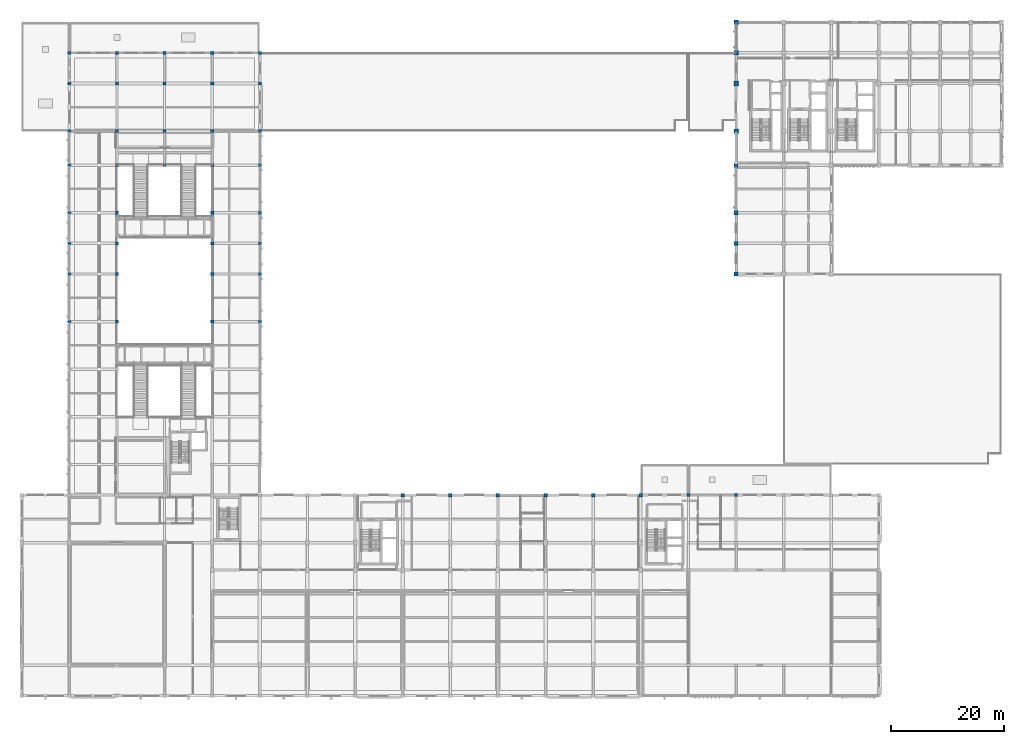
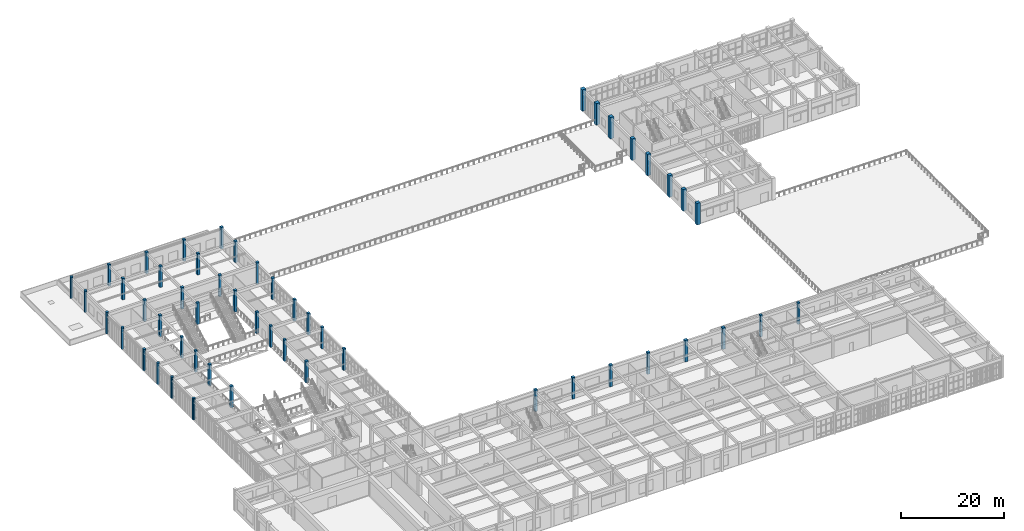
# One storey, part 10 of 93: 52 columns.
"""IFC4 building model written with IfcOpenShell, lengths in metres."""

from ifc_helpers import new_model, si_unit, direction, frame, origin, origin_2d, place, context, subcontext, project, spatial, rectangle, circle, extrude, material, material_profile, profile_set, type_object, element, save


model = new_model("IFC4")

# Units and contexts
model_context = context("Model", 3, precision=1e-05, world=origin(), true_north=direction((0.0, 1.0)))
body_context = subcontext(model_context, "Body", "Model", "MODEL_VIEW")
ifc_project = project(units=[si_unit("LENGTHUNIT", "METRE"), si_unit("AREAUNIT", "SQUARE_METRE"), si_unit("VOLUMEUNIT", "CUBIC_METRE"), si_unit("PLANEANGLEUNIT", "RADIAN"), si_unit("MASSUNIT", "GRAM", prefix="KILO")], contexts=[model_context])

# Site, building, storey
site_placement = place(None, origin())
site = spatial("IfcSite", under=ifc_project, at=site_placement, CompositionType="ELEMENT")
building_placement = place(site_placement, origin())
building = spatial("IfcBuilding", under=site, at=building_placement, Name="Krzemoval Escarpment Law Courts", CompositionType="ELEMENT")
storey_placement = place(building_placement, frame((0.0, 0.0, 10.199951171875)))
storey = spatial("IfcBuildingStorey", under=building, at=storey_placement, Name="L02", CompositionType="ELEMENT", Elevation=10.199951171875)

# Columns
ifc_material_1 = material(Name="Concrete C40/50", Category="concrete")
ifc_material_profile_1 = material_profile(ifc_material_1, rectangle(XDim=0.5, YDim=0.5, at=origin_2d()), Name="RC 500x500")
ifc_profile_set_1 = profile_set([ifc_material_profile_1], Name="Concrete C40/50")
column_type_1 = type_object("IfcColumnType", Name="COL-RC-500", PredefinedType="COLUMN", material=ifc_profile_set_1)
for number, where, z_axis, x_axis, name in (
    (1, (117.60009765625, 35.39990234375, 0.0), (0.0, 0.0, 1.0), (1.0, 0.0, 0.0), "Column FC-L02-0928"),
    (2, (126.0, 35.39990234375, 0.0), (0.0, 0.0, 1.0), (1.0, 0.0, 0.0), "Column FC-L02-0933"),
):
    element("IfcColumn", number, at=place(storey_placement, frame(where, z_axis=z_axis, x_axis=x_axis)), inside=storey, type_object=column_type_1, Name=name, PredefinedType="COLUMN", context=body_context, shape_type="SweptSolid", body=[
        extrude(rectangle(XDim=0.5, YDim=0.5, at=origin_2d()), origin(), (0.0, 0.0, 1.0), 5.10009765625),
    ])
ifc_material_2 = material(Name="Concrete C40/50", Category="concrete")
ifc_material_profile_2 = material_profile(ifc_material_2, rectangle(XDim=0.550048828125, YDim=0.550048828125, at=origin_2d()), Name="RC 550x550")
ifc_profile_set_2 = profile_set([ifc_material_profile_2], Name="Concrete C40/50")
column_type_2 = type_object("IfcColumnType", Name="COL-RC-550", PredefinedType="COLUMN", material=ifc_profile_set_2)
for number, where, z_axis, x_axis, name in (
    (3, (16.800048828125, 66.0, 0.0), (0.0, 0.0, 1.0), (1.0, 0.0, 0.0), "Column FC-L02-0834"),
    (4, (16.800048828125, 74.39990234375, 0.0), (0.0, 0.0, 1.0), (1.0, 0.0, 0.0), "Column FC-L02-0835"),
    (5, (16.800048828125, 79.800048828125, 0.0), (0.0, 0.0, 1.0), (1.0, 0.0, 0.0), "Column FC-L02-0836"),
    (6, (16.800048828125, 85.199951171875, 0.0), (0.0, 0.0, 1.0), (1.0, 0.0, 0.0), "Column FC-L02-0837"),
    (7, (16.800048828125, 93.60009765625, 0.0), (0.0, 0.0, 1.0), (1.0, 0.0, 0.0), "Column FC-L02-0838"),
    (8, (16.800048828125, 99.60009765625, 0.0), (0.0, 0.0, 1.0), (1.0, 0.0, 0.0), "Column FC-L02-0839"),
    (9, (16.800048828125, 108.0, 0.0), (0.0, 0.0, 1.0), (1.0, 0.0, 0.0), "Column FC-L02-0840"),
    (10, (16.800048828125, 113.39990234375, 0.0), (0.0, 0.0, 1.0), (1.0, 0.0, 0.0), "Column FC-L02-0841"),
    (11, (25.199951171875, 93.60009765625, 0.0), (0.0, 0.0, 1.0), (1.0, 0.0, 0.0), "Column FC-L02-0848"),
    (12, (25.199951171875, 99.60009765625, 0.0), (0.0, 0.0, 1.0), (1.0, 0.0, 0.0), "Column FC-L02-0849"),
    (13, (25.199951171875, 108.0, 0.0), (0.0, 0.0, 1.0), (1.0, 0.0, 0.0), "Column FC-L02-0850"),
    (14, (25.199951171875, 113.39990234375, 0.0), (0.0, 0.0, 1.0), (1.0, 0.0, 0.0), "Column FC-L02-0851"),
    (15, (33.60009765625, 66.0, 0.0), (0.0, 0.0, 1.0), (1.0, 0.0, 0.0), "Column FC-L02-0860"),
    (16, (33.60009765625, 74.39990234375, 0.0), (0.0, 0.0, 1.0), (1.0, 0.0, 0.0), "Column FC-L02-0861"),
    (17, (33.60009765625, 79.800048828125, 0.0), (0.0, 0.0, 1.0), (1.0, 0.0, 0.0), "Column FC-L02-0862"),
    (18, (33.60009765625, 85.199951171875, 0.0), (0.0, 0.0, 1.0), (1.0, 0.0, 0.0), "Column FC-L02-0863"),
    (19, (33.60009765625, 93.60009765625, 0.0), (0.0, 0.0, 1.0), (1.0, 0.0, 0.0), "Column FC-L02-0864"),
    (20, (33.60009765625, 99.60009765625, 0.0), (0.0, 0.0, 1.0), (1.0, 0.0, 0.0), "Column FC-L02-0865"),
    (21, (33.60009765625, 108.0, 0.0), (0.0, 0.0, 1.0), (1.0, 0.0, 0.0), "Column FC-L02-0866"),
    (22, (33.60009765625, 113.39990234375, 0.0), (0.0, 0.0, 1.0), (1.0, 0.0, 0.0), "Column FC-L02-0867"),
    (23, (42.0, 66.0, 0.0), (0.0, 0.0, 1.0), (1.0, 0.0, 0.0), "Column FC-L02-0876"),
    (24, (42.0, 74.39990234375, 0.0), (0.0, 0.0, 1.0), (1.0, 0.0, 0.0), "Column FC-L02-0877"),
    (25, (42.0, 79.800048828125, 0.0), (0.0, 0.0, 1.0), (1.0, 0.0, 0.0), "Column FC-L02-0878"),
    (26, (42.0, 85.199951171875, 0.0), (0.0, 0.0, 1.0), (1.0, 0.0, 0.0), "Column FC-L02-0879"),
    (27, (42.0, 93.60009765625, 0.0), (0.0, 0.0, 1.0), (1.0, 0.0, 0.0), "Column FC-L02-0880"),
    (28, (42.0, 99.60009765625, 0.0), (0.0, 0.0, 1.0), (1.0, 0.0, 0.0), "Column FC-L02-0881"),
    (29, (42.0, 108.0, 0.0), (0.0, 0.0, 1.0), (1.0, 0.0, 0.0), "Column FC-L02-0882"),
    (30, (42.0, 113.39990234375, 0.0), (0.0, 0.0, 1.0), (1.0, 0.0, 0.0), "Column FC-L02-0883"),
):
    element("IfcColumn", number, at=place(storey_placement, frame(where, z_axis=z_axis, x_axis=x_axis)), inside=storey, type_object=column_type_2, Name=name, PredefinedType="COLUMN", context=body_context, shape_type="SweptSolid", body=[
        extrude(rectangle(XDim=0.550048828125, YDim=0.550048828125, at=origin_2d()), origin(), (0.0, 0.0, 1.0), 5.10009765625),
    ])
ifc_material_3 = material(Name="Concrete C40/50", Category="concrete")
ifc_material_profile_3 = material_profile(ifc_material_3, rectangle(XDim=0.60009765625, YDim=0.60009765625, at=origin_2d()), Name="RC 600x600")
ifc_profile_set_3 = profile_set([ifc_material_profile_3], Name="Concrete C40/50")
column_type_3 = type_object("IfcColumnType", Name="COL-RC-600", PredefinedType="COLUMN", material=ifc_profile_set_3)
for number, where, z_axis, x_axis, name in (
    (31, (67.199951171875, 35.39990234375, 0.0), (0.0, 0.0, 1.0), (1.0, 0.0, 0.0), "Column FC-L02-0898"),
    (32, (75.60009765625, 35.39990234375, 0.0), (0.0, 0.0, 1.0), (1.0, 0.0, 0.0), "Column FC-L02-0903"),
    (33, (84.0, 35.39990234375, 0.0), (0.0, 0.0, 1.0), (1.0, 0.0, 0.0), "Column FC-L02-0908"),
    (34, (92.39990234375, 35.39990234375, 0.0), (0.0, 0.0, 1.0), (1.0, 0.0, 0.0), "Column FC-L02-0913"),
    (35, (100.800048828125, 35.39990234375, 0.0), (0.0, 0.0, 1.0), (1.0, 0.0, 0.0), "Column FC-L02-0918"),
    (36, (109.199951171875, 35.39990234375, 0.0), (0.0, 0.0, 1.0), (1.0, 0.0, 0.0), "Column FC-L02-0923"),
):
    element("IfcColumn", number, at=place(storey_placement, frame(where, z_axis=z_axis, x_axis=x_axis)), inside=storey, type_object=column_type_3, Name=name, PredefinedType="COLUMN", context=body_context, shape_type="SweptSolid", body=[
        extrude(rectangle(XDim=0.60009765625, YDim=0.60009765625, at=origin_2d()), origin(), (0.0, 0.0, 1.0), 5.10009765625),
    ])
ifc_material_4 = material(Name="Concrete C40/50", Category="concrete")
ifc_material_profile_4 = material_profile(ifc_material_4, rectangle(XDim=0.75, YDim=0.75, at=origin_2d()), Name="RC 750x750")
ifc_profile_set_4 = profile_set([ifc_material_profile_4], Name="Concrete C40/50")
column_type_4 = type_object("IfcColumnType", Name="COL-RC-750", PredefinedType="COLUMN", material=ifc_profile_set_4)
for number, where, z_axis, x_axis, name in (
    (37, (126.0, 74.39990234375, 0.0), (0.0, 0.0, 1.0), (1.0, 0.0, 0.0), "Column FC-L02-0934"),
    (38, (126.0, 79.800048828125, 0.0), (0.0, 0.0, 1.0), (1.0, 0.0, 0.0), "Column FC-L02-0935"),
    (39, (126.0, 85.199951171875, 0.0), (0.0, 0.0, 1.0), (1.0, 0.0, 0.0), "Column FC-L02-0936"),
    (40, (126.0, 93.60009765625, 0.0), (0.0, 0.0, 1.0), (1.0, 0.0, 0.0), "Column FC-L02-0937"),
):
    element("IfcColumn", number, at=place(storey_placement, frame(where, z_axis=z_axis, x_axis=x_axis)), inside=storey, type_object=column_type_4, Name=name, PredefinedType="COLUMN", context=body_context, shape_type="SweptSolid", body=[
        extrude(rectangle(XDim=0.75, YDim=0.75, at=origin_2d()), origin(), (0.0, 0.0, 1.0), 5.10009765625),
    ])
ifc_material_5 = material(Name="Concrete C40/50", Category="concrete")
ifc_material_profile_5 = material_profile(ifc_material_5, rectangle(XDim=0.800048828125, YDim=0.800048828125, at=origin_2d()), Name="RC 800x800")
ifc_profile_set_5 = profile_set([ifc_material_profile_5], Name="Concrete C40/50")
column_type_5 = type_object("IfcColumnType", Name="COL-RC-800", PredefinedType="COLUMN", material=ifc_profile_set_5)
for number, where, z_axis, x_axis, name in (
    (41, (126.0, 99.60009765625, 0.0), (0.0, 0.0, 1.0), (1.0, 0.0, 0.0), "Column FC-L02-0938"),
    (42, (126.0, 108.0, 0.0), (0.0, 0.0, 1.0), (1.0, 0.0, 0.0), "Column FC-L02-0939"),
    (43, (126.0, 113.39990234375, 0.0), (0.0, 0.0, 1.0), (1.0, 0.0, 0.0), "Column FC-L02-0940"),
    (44, (126.0, 118.800048828125, 0.0), (0.0, 0.0, 1.0), (1.0, 0.0, 0.0), "Column FC-L02-0941"),
):
    element("IfcColumn", number, at=place(storey_placement, frame(where, z_axis=z_axis, x_axis=x_axis)), inside=storey, type_object=column_type_5, Name=name, PredefinedType="COLUMN", context=body_context, shape_type="SweptSolid", body=[
        extrude(rectangle(XDim=0.800048828125, YDim=0.800048828125, at=origin_2d()), origin(), (0.0, 0.0, 1.0), 5.10009765625),
    ])
ifc_material_6 = material(Name="Concrete C40/50", Category="concrete")
ifc_material_profile_6 = material_profile(ifc_material_6, circle(Radius=0.300048828125, at=origin_2d()), Name="RC D600")
ifc_profile_set_6 = profile_set([ifc_material_profile_6], Name="Concrete C40/50")
column_type_6 = type_object("IfcColumnType", Name="COL-RCD-600", PredefinedType="COLUMN", material=ifc_profile_set_6)
for number, where, z_axis, x_axis, name in (
    (45, (8.39990234375, 66.0, 0.0), (0.0, 0.0, 1.0), (1.0, 0.0, 0.0), "Column FC-L02-0821"),
    (46, (8.39990234375, 74.39990234375, 0.0), (0.0, 0.0, 1.0), (1.0, 0.0, 0.0), "Column FC-L02-0822"),
    (47, (8.39990234375, 79.800048828125, 0.0), (0.0, 0.0, 1.0), (1.0, 0.0, 0.0), "Column FC-L02-0823"),
    (48, (8.39990234375, 85.199951171875, 0.0), (0.0, 0.0, 1.0), (1.0, 0.0, 0.0), "Column FC-L02-0824"),
    (49, (8.39990234375, 93.60009765625, 0.0), (0.0, 0.0, 1.0), (1.0, 0.0, 0.0), "Column FC-L02-0825"),
    (50, (8.39990234375, 99.60009765625, 0.0), (0.0, 0.0, 1.0), (1.0, 0.0, 0.0), "Column FC-L02-0826"),
    (51, (8.39990234375, 108.0, 0.0), (0.0, 0.0, 1.0), (1.0, 0.0, 0.0), "Column FC-L02-0827"),
    (52, (8.39990234375, 113.39990234375, 0.0), (0.0, 0.0, 1.0), (1.0, 0.0, 0.0), "Column FC-L02-0828"),
):
    element("IfcColumn", number, at=place(storey_placement, frame(where, z_axis=z_axis, x_axis=x_axis)), inside=storey, type_object=column_type_6, Name=name, PredefinedType="COLUMN", context=body_context, shape_type="SweptSolid", body=[
        extrude(circle(Radius=0.300048828125, at=origin_2d()), origin(), (0.0, 0.0, 1.0), 5.10009765625),
    ])

save(model, "model.ifc")
